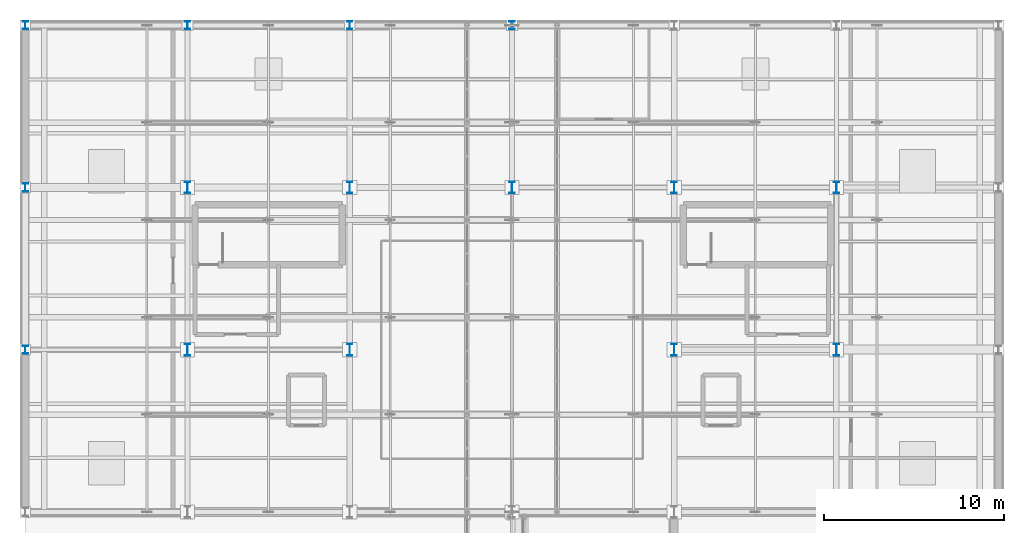
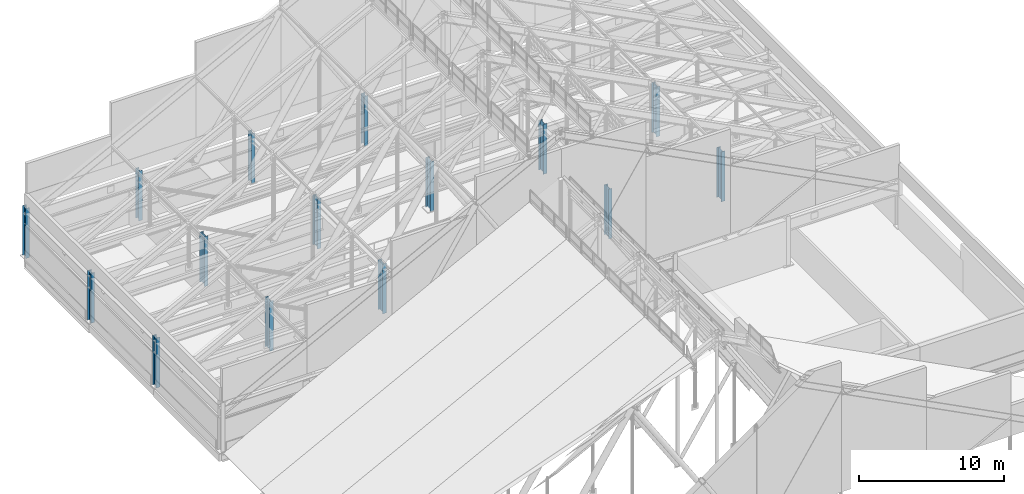
# One storey, part 3 of 84: 15 columns.
"""IFC4 building model written with IfcOpenShell, lengths in metres."""

from ifc_helpers import new_model, si_unit, direction, frame, origin, origin_2d, place, context, subcontext, project, spatial, i_section, extrude, material, material_profile, profile_set, type_object, element, save


model = new_model("IFC4")

# Units and contexts
model_context = context("Model", 3, precision=1e-05, world=origin(), true_north=direction((0.0, 1.0)))
body_context = subcontext(model_context, "Body", "Model", "MODEL_VIEW")
ifc_project = project(units=[si_unit("LENGTHUNIT", "METRE"), si_unit("AREAUNIT", "SQUARE_METRE"), si_unit("VOLUMEUNIT", "CUBIC_METRE"), si_unit("PLANEANGLEUNIT", "RADIAN"), si_unit("MASSUNIT", "GRAM", prefix="KILO")], contexts=[model_context])

# Site, building, storey
site_placement = place(None, origin())
site = spatial("IfcSite", under=ifc_project, at=site_placement, CompositionType="ELEMENT")
building_placement = place(site_placement, origin())
building = spatial("IfcBuilding", under=site, at=building_placement, Name="Sundgate Opera House", CompositionType="ELEMENT")
storey_placement = place(building_placement, frame((0.0, 0.0, 30.60009765625)))
storey = spatial("IfcBuildingStorey", under=building, at=storey_placement, Name="L06", CompositionType="ELEMENT", Elevation=30.60009765625)

# Columns
ifc_material_1 = material(Name="Steel S355J2", Category="steel")
ifc_material_profile_1 = material_profile(ifc_material_1, i_section(OverallWidth=0.300048828125, OverallDepth=0.449951171875, WebThickness=0.013916015625, FlangeThickness=0.02587890625, at=origin_2d()), Name="HEB 450")
ifc_profile_set_1 = profile_set([ifc_material_profile_1], Name="Steel S355J2")
column_type_1 = type_object("IfcColumnType", Name="CL-STL-450", PredefinedType="COLUMN", material=ifc_profile_set_1)
for number, where, z_axis, x_axis, name in (
    (1, (27.0, 69.0, 0.0), (0.0, 0.0, 1.0), (1.0, 0.0, 0.0), "L06 Column C0184"),
    (2, (27.0, 78.0, 0.0), (0.0, 0.0, 1.0), (1.0, 0.0, 0.0), "L06 Column C0190"),
    (3, (27.0, 87.0, 0.0), (0.0, 0.0, 1.0), (1.0, 0.0, 0.0), "L06 Column C0196"),
    (4, (36.0, 87.0, 0.0), (0.0, 0.0, 1.0), (1.0, 0.0, 0.0), "L06 Column C0261"),
    (5, (45.0, 87.0, 0.0), (0.0, 0.0, 1.0), (1.0, 0.0, 0.0), "L06 Column C0321"),
    (6, (54.0, 87.0, 0.0), (0.0, 0.0, 1.0), (1.0, 0.0, 0.0), "L06 Column C0376"),
):
    element("IfcColumn", number, at=place(storey_placement, frame(where, z_axis=z_axis, x_axis=x_axis)), inside=storey, type_object=column_type_1, Name=name, PredefinedType="COLUMN", context=body_context, shape_type="SweptSolid", body=[
        extrude(i_section(OverallWidth=0.300048828125, OverallDepth=0.449951171875, WebThickness=0.013916015625, FlangeThickness=0.02587890625, at=origin_2d()), origin(), (0.0, 0.0, 1.0), 4.199951171875),
    ])
ifc_material_2 = material(Name="Steel S355J2", Category="steel")
ifc_material_profile_2 = material_profile(ifc_material_2, i_section(OverallWidth=0.300048828125, OverallDepth=0.64990234375, WebThickness=0.01611328125, FlangeThickness=0.031005859375, at=origin_2d()), Name="HEB 650")
ifc_profile_set_2 = profile_set([ifc_material_profile_2], Name="Steel S355J2")
column_type_2 = type_object("IfcColumnType", Name="CL-STL-650", PredefinedType="COLUMN", material=ifc_profile_set_2)
for number, where, z_axis, x_axis, name in (
    (7, (36.0, 69.0, 0.0), (0.0, 0.0, 1.0), (1.0, 0.0, 0.0), "L06 Column C0247"),
    (8, (36.0, 78.0, 0.0), (0.0, 0.0, 1.0), (1.0, 0.0, 0.0), "L06 Column C0255"),
    (9, (45.0, 69.0, 0.0), (0.0, 0.0, 1.0), (1.0, 0.0, 0.0), "L06 Column C0307"),
    (10, (45.0, 78.0, 0.0), (0.0, 0.0, 1.0), (1.0, 0.0, 0.0), "L06 Column C0315"),
    (11, (54.0, 78.0, 0.0), (0.0, 0.0, 1.0), (1.0, 0.0, 0.0), "L06 Column C0370"),
    (12, (63.0, 69.0, 0.0), (0.0, 0.0, 1.0), (1.0, 0.0, 0.0), "L06 Column C0423"),
    (13, (63.0, 78.0, 0.0), (0.0, 0.0, 1.0), (1.0, 0.0, 0.0), "L06 Column C0431"),
    (14, (72.0, 69.0, 0.0), (0.0, 0.0, 1.0), (1.0, 0.0, 0.0), "L06 Column C0490"),
    (15, (72.0, 78.0, 0.0), (0.0, 0.0, 1.0), (1.0, 0.0, 0.0), "L06 Column C0498"),
):
    element("IfcColumn", number, at=place(storey_placement, frame(where, z_axis=z_axis, x_axis=x_axis)), inside=storey, type_object=column_type_2, Name=name, PredefinedType="COLUMN", context=body_context, shape_type="SweptSolid", body=[
        extrude(i_section(OverallWidth=0.300048828125, OverallDepth=0.64990234375, WebThickness=0.01611328125, FlangeThickness=0.031005859375, at=origin_2d()), origin(), (0.0, 0.0, 1.0), 4.199951171875),
    ])

save(model, "model.ifc")
